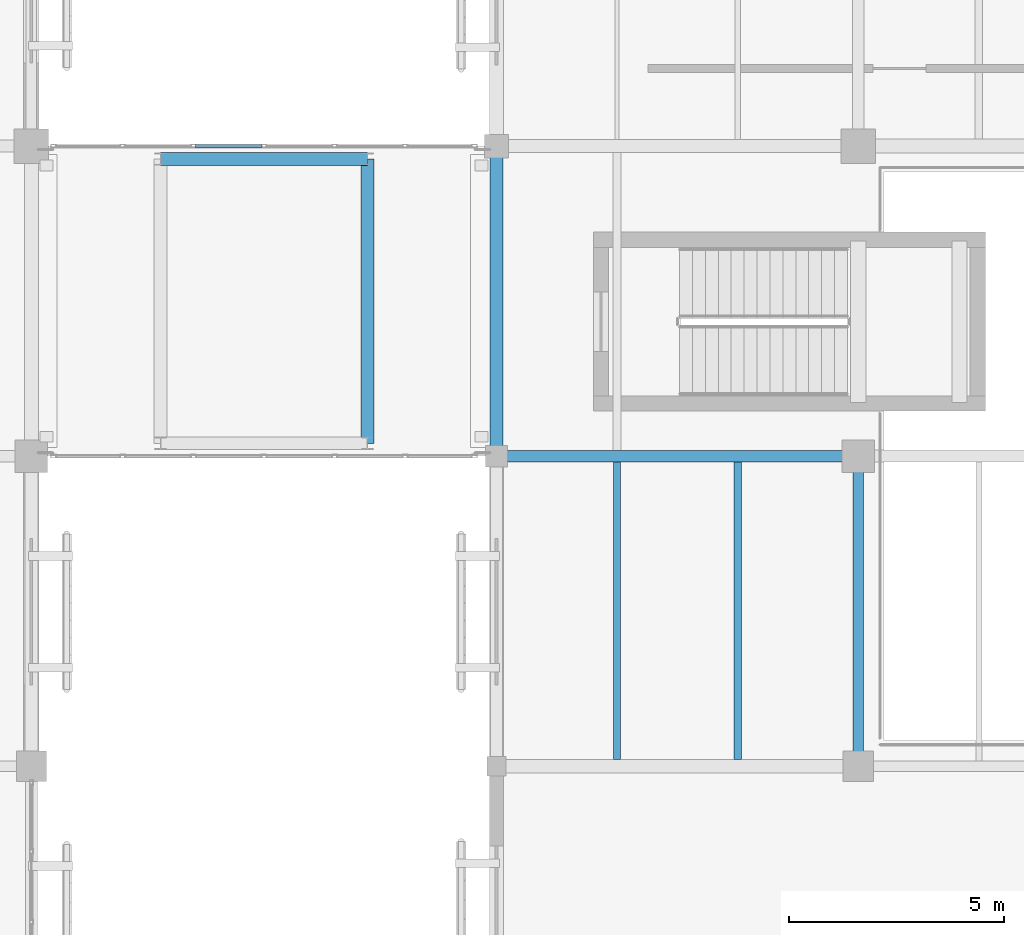
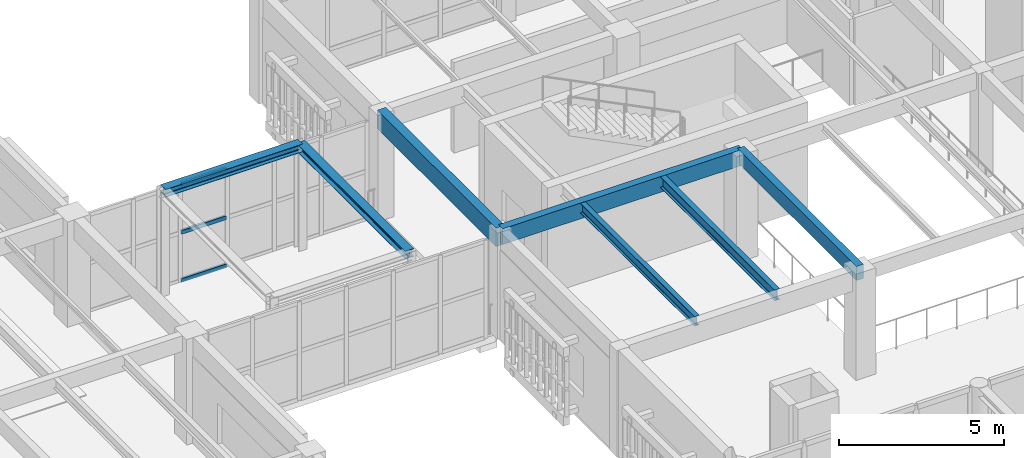
# One storey, part 26 of 170: 7 beams, 3 members, 1 element without a shape of its own.
"""IFC4 building model written with IfcOpenShell, lengths in metres."""

from ifc_helpers import new_model, si_unit, direction, frame, origin, origin_2d, place, context, subcontext, project, spatial, rectangle, hollow_rectangle, i_section, extrude, material, layer, layer_set, material_profile, profile_set, type_object, element, aggregate, save


model = new_model("IFC4")

# Units and contexts
model_context = context("Model", 3, precision=1e-05, world=origin(), true_north=direction((0.0, 1.0)))
body_context = subcontext(model_context, "Body", "Model", "MODEL_VIEW")
ifc_project = project(units=[si_unit("LENGTHUNIT", "METRE"), si_unit("AREAUNIT", "SQUARE_METRE"), si_unit("VOLUMEUNIT", "CUBIC_METRE"), si_unit("PLANEANGLEUNIT", "RADIAN"), si_unit("MASSUNIT", "GRAM", prefix="KILO")], contexts=[model_context])

# Site, building, storey
site_placement = place(None, origin())
site = spatial("IfcSite", under=ifc_project, at=site_placement, CompositionType="ELEMENT")
building_placement = place(site_placement, origin())
building = spatial("IfcBuilding", under=site, at=building_placement, Name="Mazaris Harbour Polytechnic", CompositionType="ELEMENT")
storey_placement = place(building_placement, frame((0.0, 0.0, 5.39990234375)))
storey = spatial("IfcBuildingStorey", under=building, at=storey_placement, Name="L01", CompositionType="ELEMENT", Elevation=5.39990234375)

# Curtain wall, members
ifc_material_1 = material(Name="Anodised Bronze Aluminium and Low-E Glass", Category="aluminium")
ifc_layer = layer(ifc_material_1, 0.139892578125, Name="Anodised Bronze Aluminium and Low-E Glass")
ifc_layer_set = layer_set([ifc_layer], Name="Anodised Bronze Aluminium and Low-E Glass")
curtain_wall_type = type_object("IfcCurtainWallType", Name="Seismic Link Bridge Glazing", PredefinedType="NOTDEFINED", material=ifc_layer_set)
curtain_wall_placement = place(storey_placement, origin())
curtain_wall = element("IfcCurtainWall", 1, at=curtain_wall_placement, inside=storey, type_object=curtain_wall_type, Name="PB-W1 L01 Bridge Glazing", PredefinedType="NOTDEFINED")
ifc_material_2 = material(Name="Anodised Bronze Steel S355", Category="steel")
ifc_material_profile_1 = material_profile(ifc_material_2, hollow_rectangle(XDim=0.080078125, YDim=0.139892578125, WallThickness=0.00634765625, at=origin_2d()), Name="RHS 80x140x6.3")
ifc_profile_set_1 = profile_set([ifc_material_profile_1], Name="Anodised Bronze Steel S355")
member_type = type_object("IfcMemberType", Name="Curtain Transom RHS80x140", PredefinedType="USERDEFINED", material=ifc_profile_set_1)
member_1_placement = place(storey_placement, frame((48.56005859375, 28.800048828125, 0.0400390625), z_axis=(-1.0, 0.0, 0.0), x_axis=(0.0, -1.0, 0.0)))
member_1 = element("IfcMember", 2, at=member_1_placement, type_object=member_type, Name="CW-05 transom 4.1", ObjectType="TRANSOM", PredefinedType="USERDEFINED", context=body_context, shape_type="SweptSolid", body=[
    extrude(hollow_rectangle(XDim=0.080078125, YDim=0.139892578125, WallThickness=0.00634765625, at=origin_2d()), origin(), (0.0, 0.0, 1.0), 1.56005859375),
])
member_2_placement = place(storey_placement, frame((48.56005859375, 28.800048828125, 1.817626953125), z_axis=(-1.0, 0.0, 0.0), x_axis=(0.0, -1.0, 0.0)))
member_2 = element("IfcMember", 3, at=member_2_placement, type_object=member_type, Name="CW-05 transom 4.2", ObjectType="TRANSOM", PredefinedType="USERDEFINED", context=body_context, shape_type="SweptSolid", body=[
    extrude(hollow_rectangle(XDim=0.080078125, YDim=0.139892578125, WallThickness=0.00634765625, at=origin_2d()), origin(), (0.0, 0.0, 1.0), 1.56005859375),
])
member_3_placement = place(storey_placement, frame((48.56005859375, 28.800048828125, 3.59521484375), z_axis=(-1.0, 0.0, 0.0), x_axis=(0.0, -1.0, 0.0)))
member_3 = element("IfcMember", 4, at=member_3_placement, type_object=member_type, Name="CW-05 transom 4.3", ObjectType="TRANSOM", PredefinedType="USERDEFINED", context=body_context, shape_type="SweptSolid", body=[
    extrude(hollow_rectangle(XDim=0.080078125, YDim=0.139892578125, WallThickness=0.00634765625, at=origin_2d()), origin(), (0.0, 0.0, 1.0), 1.56005859375),
])
aggregate(curtain_wall, [member_1, member_2, member_3])

# Beams
ifc_material_3 = material(Name="Glulam GL32h", Category="wood")
ifc_material_profile_2 = material_profile(ifc_material_3, rectangle(XDim=0.239990234375, YDim=0.52001953125, at=origin_2d()), Name="RECT240x520")
ifc_profile_set_2 = profile_set([ifc_material_profile_2], Name="Glulam GL32h")
beam_type_1 = type_object("IfcBeamType", Name="Glulam Girder 240x520", PredefinedType="BEAM", material=ifc_profile_set_2)
beam_1_placement = place(storey_placement, frame((62.39990234375, 14.39990234375, 3.66015625), z_axis=(0.0, 1.0, 0.0), x_axis=(-1.0, 0.0, 0.0)))
element("IfcBeam", 5, at=beam_1_placement, inside=storey, type_object=beam_type_1, Name="V3 L01 Tie Girder 1000", PredefinedType="BEAM", context=body_context, shape_type="SweptSolid", body=[
    extrude(rectangle(XDim=0.239990234375, YDim=0.52001953125, at=origin_2d()), origin(), (0.0, 0.0, 1.0), 7.2001953125),
])
ifc_material_4 = material(Name="Glulam GL32h", Category="wood")
ifc_material_profile_3 = material_profile(ifc_material_4, rectangle(XDim=0.260009765625, YDim=0.580078125, at=origin_2d()), Name="RECT260x580")
ifc_profile_set_3 = profile_set([ifc_material_profile_3], Name="Glulam GL32h")
beam_type_2 = type_object("IfcBeamType", Name="Glulam Girder 260x580", PredefinedType="BEAM", material=ifc_profile_set_3)
beam_2_placement = place(storey_placement, frame((54.0, 21.60009765625, 3.630126953125), z_axis=(1.0, 0.0, 0.0), x_axis=(0.0, 1.0, 0.0)))
element("IfcBeam", 6, at=beam_2_placement, inside=storey, type_object=beam_type_2, Name="V3 L01 Girder 976", PredefinedType="BEAM", context=body_context, shape_type="SweptSolid", body=[
    extrude(rectangle(XDim=0.260009765625, YDim=0.580078125, at=origin_2d()), origin(), (0.0, 0.0, 1.0), 8.39990234375),
])
ifc_material_5 = material(Name="Glulam GL32h", Category="wood")
ifc_material_profile_4 = material_profile(ifc_material_5, rectangle(XDim=0.300048828125, YDim=0.679931640625, at=origin_2d()), Name="RECT300x680")
ifc_profile_set_4 = profile_set([ifc_material_profile_4], Name="Glulam GL32h")
beam_type_3 = type_object("IfcBeamType", Name="Glulam Girder 300x680 Exterior", PredefinedType="BEAM", material=ifc_profile_set_4)
beam_3_placement = place(storey_placement, frame((54.0, 21.60009765625, 3.580078125), z_axis=(0.0, 1.0, 0.0), x_axis=(-1.0, 0.0, 0.0)))
element("IfcBeam", 7, at=beam_3_placement, inside=storey, type_object=beam_type_3, Name="V3 L01 Tie Girder 998", PredefinedType="BEAM", context=body_context, shape_type="SweptSolid", body=[
    extrude(rectangle(XDim=0.300048828125, YDim=0.679931640625, at=origin_2d()), origin(), (0.0, 0.0, 1.0), 7.199951171875),
])
ifc_material_6 = material(Name="Steel S355", Category="steel")
ifc_material_profile_5 = material_profile(ifc_material_6, i_section(OverallWidth=0.300048828125, OverallDepth=0.2900390625, WebThickness=0.008544921875, FlangeThickness=0.013916015625, FilletRadius=0.027099609375, at=origin_2d()), Name="HEA 300")
ifc_profile_set_5 = profile_set([ifc_material_profile_5], Name="Steel S355")
beam_type_4 = type_object("IfcBeamType", Name="Steel Beam HEA300 Exterior", PredefinedType="SPANDREL", material=ifc_profile_set_5)
beam_4_placement = place(storey_placement, frame((51.0, 21.89990234375, 3.7900390625), z_axis=(0.0, 1.0, 0.0), x_axis=(-1.0, 0.0, 0.0)))
element("IfcBeam", 8, at=beam_4_placement, inside=storey, type_object=beam_type_4, Name="PB-W1 L01 Bridge Beam 3409", PredefinedType="SPANDREL", context=body_context, shape_type="SweptSolid", body=[
    extrude(i_section(OverallWidth=0.300048828125, OverallDepth=0.2900390625, WebThickness=0.008544921875, FlangeThickness=0.013916015625, FilletRadius=0.027099609375, at=origin_2d()), origin(), (0.0, 0.0, 1.0), 6.60009765625),
])
beam_5_placement = place(storey_placement, frame((46.199951171875, 28.5, 3.7900390625), z_axis=(1.0, 0.0, 0.0), x_axis=(0.0, 1.0, 0.0)))
element("IfcBeam", 9, at=beam_5_placement, inside=storey, type_object=beam_type_4, Name="PB-W1 L01 Bridge Beam 3410", PredefinedType="SPANDREL", context=body_context, shape_type="SweptSolid", body=[
    extrude(i_section(OverallWidth=0.300048828125, OverallDepth=0.2900390625, WebThickness=0.008544921875, FlangeThickness=0.013916015625, FilletRadius=0.027099609375, at=origin_2d()), origin(), (0.0, 0.0, 1.0), 4.800048828125),
])
ifc_material_7 = material(Name="Steel S355", Category="steel")
ifc_material_profile_6 = material_profile(ifc_material_7, i_section(OverallWidth=0.169921875, OverallDepth=0.360107421875, WebThickness=0.008056640625, FlangeThickness=0.0126953125, FilletRadius=0.01806640625, at=origin_2d()), Name="IPE 360")
ifc_profile_set_6 = profile_set([ifc_material_profile_6], Name="Steel S355")
beam_type_5 = type_object("IfcBeamType", Name="Steel Joist IPE360", PredefinedType="JOIST", material=ifc_profile_set_6)
beam_6_placement = place(storey_placement, frame((56.800048828125, 14.56005859375, 3.739990234375), z_axis=(0.0, 1.0, 0.0), x_axis=(-1.0, 0.0, 0.0)))
element("IfcBeam", 10, at=beam_6_placement, inside=storey, type_object=beam_type_5, Name="V3 L01 Floor Joist 1019", PredefinedType="JOIST", context=body_context, shape_type="SweptSolid", body=[
    extrude(i_section(OverallWidth=0.169921875, OverallDepth=0.360107421875, WebThickness=0.008056640625, FlangeThickness=0.0126953125, FilletRadius=0.01806640625, at=origin_2d()), origin(), (0.0, 0.0, 1.0), 6.909912109375),
])
ifc_material_8 = material(Name="Steel S355", Category="steel")
ifc_material_profile_7 = material_profile(ifc_material_8, i_section(OverallWidth=0.179931640625, OverallDepth=0.39990234375, WebThickness=0.008544921875, FlangeThickness=0.013427734375, FilletRadius=0.02099609375, at=origin_2d()), Name="IPE 400")
ifc_profile_set_7 = profile_set([ifc_material_profile_7], Name="Steel S355")
beam_type_6 = type_object("IfcBeamType", Name="Steel Joist IPE400", PredefinedType="JOIST", material=ifc_profile_set_7)
beam_7_placement = place(storey_placement, frame((59.60009765625, 14.56005859375, 3.72021484375), z_axis=(0.0, 1.0, 0.0), x_axis=(-1.0, 0.0, 0.0)))
element("IfcBeam", 11, at=beam_7_placement, inside=storey, type_object=beam_type_6, Name="V3 L01 Floor Joist 1020", PredefinedType="JOIST", context=body_context, shape_type="SweptSolid", body=[
    extrude(i_section(OverallWidth=0.179931640625, OverallDepth=0.39990234375, WebThickness=0.008544921875, FlangeThickness=0.013427734375, FilletRadius=0.02099609375, at=origin_2d()), origin(), (0.0, 0.0, 1.0), 6.909912109375),
])

save(model, "model.ifc")
